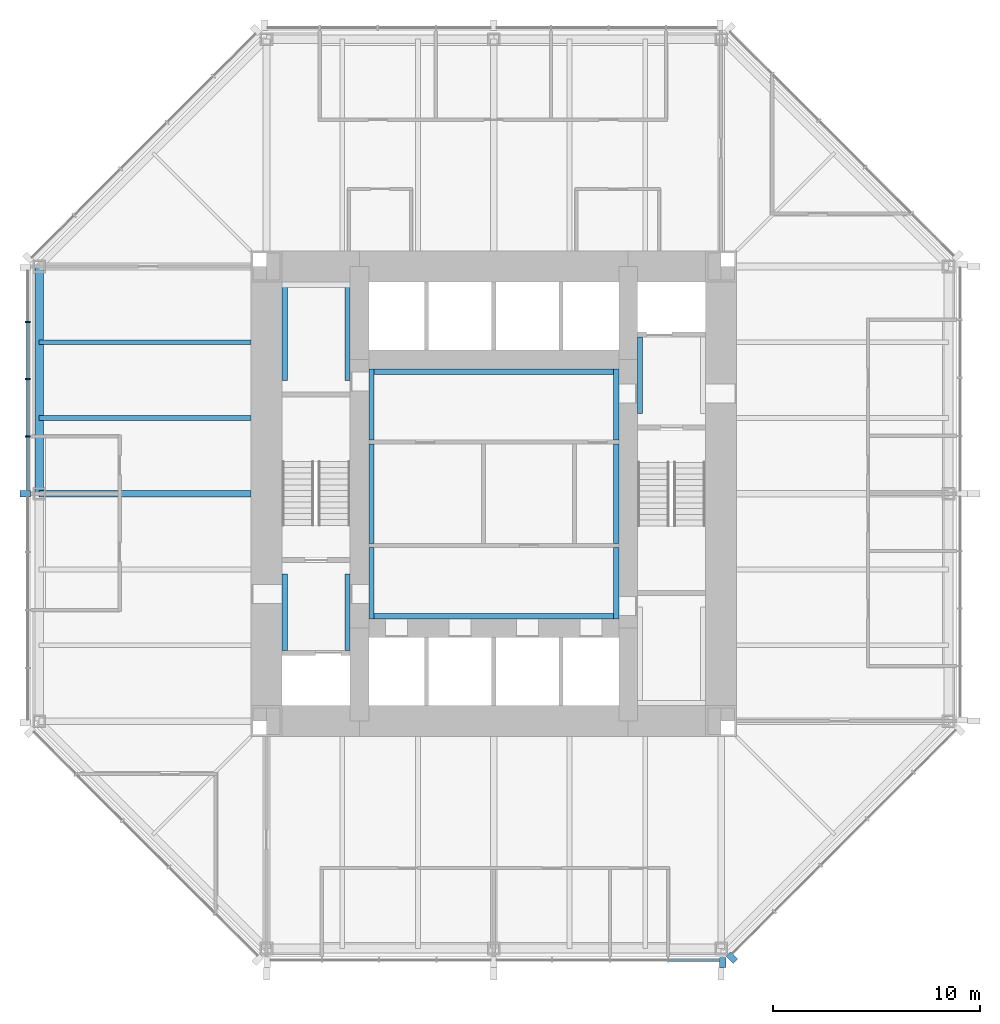
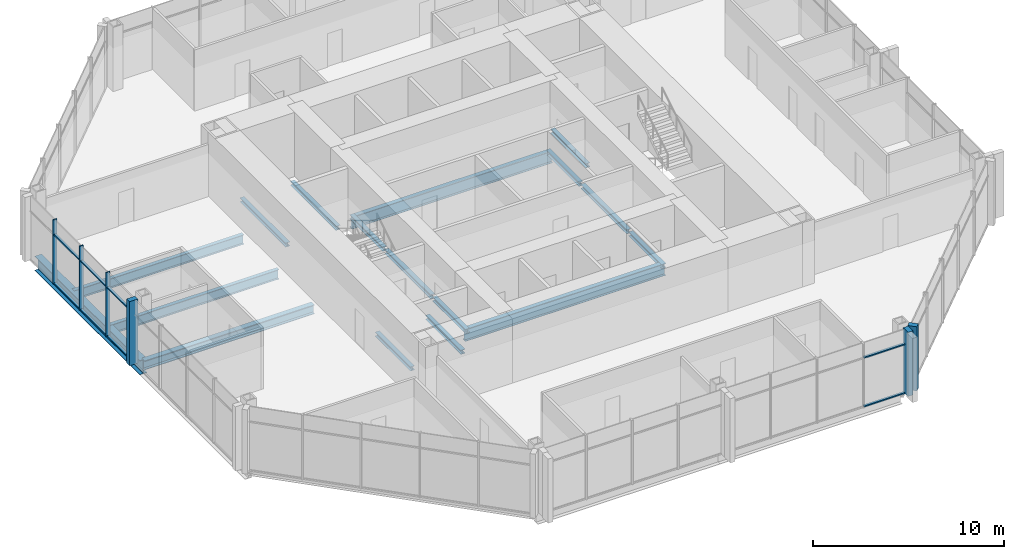
# One storey, part 3 of 12: 17 beams, 14 members, 3 elements without a shape of their own.
"""IFC4 building model written with IfcOpenShell, lengths in metres."""

from ifc_helpers import new_model, si_unit, direction, frame, origin, origin_2d, place, context, subcontext, project, spatial, rectangle, i_section, extrude, material, material_profile, profile_set, type_object, element, aggregate, save


model = new_model("IFC4")

# Units and contexts
model_context = context("Model", 3, precision=1e-05, world=origin(), true_north=direction((0.0, 1.0)))
body_context = subcontext(model_context, "Body", "Model", "MODEL_VIEW")
ifc_project = project(units=[si_unit("LENGTHUNIT", "METRE"), si_unit("AREAUNIT", "SQUARE_METRE"), si_unit("VOLUMEUNIT", "CUBIC_METRE"), si_unit("PLANEANGLEUNIT", "RADIAN"), si_unit("MASSUNIT", "GRAM", prefix="KILO")], contexts=[model_context])

# Site, building, storey
site_placement = place(None, origin())
site = spatial("IfcSite", under=ifc_project, at=site_placement, CompositionType="ELEMENT")
building_placement = place(site_placement, origin())
building = spatial("IfcBuilding", under=site, at=building_placement, Name="Trevanion Tower", CompositionType="ELEMENT")
storey_placement = place(building_placement, frame((0.0, 0.0, 158.199951171875)))
storey = spatial("IfcBuildingStorey", under=building, at=storey_placement, Name="L37", CompositionType="ELEMENT", Elevation=158.199951171875)

# Beams
ifc_material_1 = material(Name="Steel ASTM A992 Grade 50", Category="steel")
ifc_material_profile_1 = material_profile(ifc_material_1, i_section(OverallWidth=0.22900390625, OverallDepth=0.612060546875, WebThickness=0.011962890625, FlangeThickness=0.01953125, at=origin_2d()), Name="W24X84")
ifc_profile_set_1 = profile_set([ifc_material_profile_1], Name="Steel ASTM A992 Grade 50")
beam_type_1 = type_object("IfcBeamType", Name="B7 W24X84", PredefinedType="BEAM", material=ifc_profile_set_1)
for number, where, z_axis, x_axis, name in (
    (1, (-11.75, 7.333251953125, -0.49609375), (-1.0, 0.0, 0.0), (0.0, -1.0, 0.0), "B7 L37"),
    (2, (-11.75, 3.666748046875, -0.49609375), (-1.0, 0.0, 0.0), (0.0, -1.0, 0.0), "B7 L37"),
):
    element("IfcBeam", number, at=place(storey_placement, frame(where, z_axis=z_axis, x_axis=x_axis)), inside=storey, type_object=beam_type_1, Name=name, PredefinedType="BEAM", context=body_context, shape_type="SweptSolid", body=[
        extrude(i_section(OverallWidth=0.22900390625, OverallDepth=0.612060546875, WebThickness=0.011962890625, FlangeThickness=0.01953125, at=origin_2d()), origin(), (0.0, 0.0, 1.0), 10.25),
    ])

# Curtain wall, members
ifc_material_2 = material(Name="Aluminium and glass", Category="aluminium")
curtain_wall_type = type_object("IfcCurtainWallType", Name="CW2 curtain wall", PredefinedType="USERDEFINED", material=ifc_material_2)
curtain_wall_1_placement = place(storey_placement, origin())
curtain_wall_1 = element("IfcCurtainWall", 3, at=curtain_wall_1_placement, inside=storey, type_object=curtain_wall_type, Name="CW2 L37 4", ObjectType="UNITISED CURTAIN WALL", PredefinedType="USERDEFINED")
ifc_material_3 = material(Name="Aluminium extrusion, anodised bronze", Category="aluminium")
ifc_material_profile_2 = material_profile(ifc_material_3, rectangle(XDim=0.074951171875, YDim=0.25, at=origin_2d()), Name="CW2 mullion")
ifc_profile_set_2 = profile_set([ifc_material_profile_2], Name="Aluminium extrusion, anodised bronze")
member_type_1 = type_object("IfcMemberType", Name="CW2 mullion", PredefinedType="MULLION", material=ifc_profile_set_2)
member_1_placement = place(storey_placement, frame((-22.550048828125, 8.323486328125, -0.18994140625), z_axis=(0.0, 0.0, 1.0), x_axis=(0.0, -1.0, 0.0)))
member_1 = element("IfcMember", 4, at=member_1_placement, type_object=member_type_1, Name="CW2 mullion 2", PredefinedType="MULLION", context=body_context, shape_type="SweptSolid", body=[
    extrude(rectangle(XDim=0.074951171875, YDim=0.25, at=origin_2d()), origin(), (0.0, 0.0, 1.0), 4.10009765625),
])
member_2_placement = place(storey_placement, frame((-22.550048828125, 5.548828125, -0.18994140625), z_axis=(0.0, 0.0, 1.0), x_axis=(0.0, -1.0, 0.0)))
member_2 = element("IfcMember", 5, at=member_2_placement, type_object=member_type_1, Name="CW2 mullion 3", PredefinedType="MULLION", context=body_context, shape_type="SweptSolid", body=[
    extrude(rectangle(XDim=0.074951171875, YDim=0.25, at=origin_2d()), origin(), (0.0, 0.0, 1.0), 4.10009765625),
])
member_3_placement = place(storey_placement, frame((-22.550048828125, 2.7744140625, -0.18994140625), z_axis=(0.0, 0.0, 1.0), x_axis=(0.0, -1.0, 0.0)))
member_3 = element("IfcMember", 6, at=member_3_placement, type_object=member_type_1, Name="CW2 mullion 4", PredefinedType="MULLION", context=body_context, shape_type="SweptSolid", body=[
    extrude(rectangle(XDim=0.074951171875, YDim=0.25, at=origin_2d()), origin(), (0.0, 0.0, 1.0), 4.10009765625),
])
ifc_material_4 = material(Name="Aluminium extrusion, anodised bronze", Category="aluminium")
ifc_material_profile_3 = material_profile(ifc_material_4, rectangle(XDim=0.300048828125, YDim=0.5, at=origin_2d()), Name="CW2 pier mullion")
ifc_profile_set_3 = profile_set([ifc_material_profile_3], Name="Aluminium extrusion, anodised bronze")
member_type_2 = type_object("IfcMemberType", Name="CW2 pier mullion", PredefinedType="MULLION", material=ifc_profile_set_3)
member_4_placement = place(storey_placement, frame((-22.675048828125, 0.0, -0.18994140625), z_axis=(0.0, 0.0, 1.0), x_axis=(0.0, -1.0, 0.0)))
member_4 = element("IfcMember", 7, at=member_4_placement, type_object=member_type_2, Name="CW2 pier mullion 5", PredefinedType="MULLION", context=body_context, shape_type="SweptSolid", body=[
    extrude(rectangle(XDim=0.300048828125, YDim=0.5, at=origin_2d()), origin(), (0.0, 0.0, 1.0), 4.10009765625),
])

# Curtain wall, member
curtain_wall_2_placement = place(storey_placement, origin())
curtain_wall_2 = element("IfcCurtainWall", 8, at=curtain_wall_2_placement, inside=storey, type_object=curtain_wall_type, Name="CW2 L37 6", ObjectType="UNITISED CURTAIN WALL", PredefinedType="USERDEFINED")
member_5_placement = place(storey_placement, frame((11.077880859375, -22.675048828125, -0.18994140625), z_axis=(0.0, 0.0, 1.0), x_axis=(1.0, 0.0, 0.0)))
member_5 = element("IfcMember", 9, at=member_5_placement, type_object=member_type_2, Name="CW2 pier mullion 9", PredefinedType="MULLION", context=body_context, shape_type="SweptSolid", body=[
    extrude(rectangle(XDim=0.300048828125, YDim=0.5, at=origin_2d()), origin(), (0.0, 0.0, 1.0), 4.10009765625),
])

curtain_wall_3_placement = place(storey_placement, origin())
curtain_wall_3 = element("IfcCurtainWall", 10, at=curtain_wall_3_placement, inside=storey, type_object=curtain_wall_type, Name="CW2 L37 7", ObjectType="UNITISED CURTAIN WALL", PredefinedType="USERDEFINED")
member_6_placement = place(storey_placement, frame((11.51416015625, -22.4404296875, -0.18994140625), z_axis=(0.0, 0.0, 1.0), x_axis=(0.707106781187, 0.707106781187, 0.0)))
member_6 = element("IfcMember", 11, at=member_6_placement, type_object=member_type_2, Name="CW2 pier mullion 1", PredefinedType="MULLION", context=body_context, shape_type="SweptSolid", body=[
    extrude(rectangle(XDim=0.300048828125, YDim=0.5, at=origin_2d()), origin(), (0.0, 0.0, 1.0), 4.10009765625),
])
aggregate(curtain_wall_3, [member_6])

# Member
ifc_material_5 = material(Name="Aluminium extrusion, anodised bronze", Category="aluminium")
ifc_material_profile_4 = material_profile(ifc_material_5, rectangle(XDim=0.14990234375, YDim=0.074951171875, at=origin_2d()), Name="CW2 transom")
ifc_profile_set_4 = profile_set([ifc_material_profile_4], Name="Aluminium extrusion, anodised bronze")
member_type_3 = type_object("IfcMemberType", Name="CW2 transom", PredefinedType="USERDEFINED", material=ifc_profile_set_4)
member_7_placement = place(storey_placement, frame((-22.550048828125, 8.285888671875, -0.15234375), z_axis=(0.0, -1.0, 0.0), x_axis=(1.0, 0.0, 0.0)))
member_7 = element("IfcMember", 12, at=member_7_placement, type_object=member_type_3, Name="CW2 transom 2.1", ObjectType="TRANSOM", PredefinedType="USERDEFINED", context=body_context, shape_type="SweptSolid", body=[
    extrude(rectangle(XDim=0.14990234375, YDim=0.074951171875, at=origin_2d()), origin(), (0.0, 0.0, 1.0), 2.699462890625),
])

member_8_placement = place(storey_placement, frame((-22.550048828125, 8.285888671875, 2.9599609375), z_axis=(0.0, -1.0, 0.0), x_axis=(1.0, 0.0, 0.0)))
member_8 = element("IfcMember", 13, at=member_8_placement, type_object=member_type_3, Name="CW2 transom 2.2", ObjectType="TRANSOM", PredefinedType="USERDEFINED", context=body_context, shape_type="SweptSolid", body=[
    extrude(rectangle(XDim=0.14990234375, YDim=0.074951171875, at=origin_2d()), origin(), (0.0, 0.0, 1.0), 2.699462890625),
])

member_9_placement = place(storey_placement, frame((-22.550048828125, 5.511474609375, -0.15234375), z_axis=(0.0, -1.0, 0.0), x_axis=(1.0, 0.0, 0.0)))
member_9 = element("IfcMember", 14, at=member_9_placement, type_object=member_type_3, Name="CW2 transom 3.1", ObjectType="TRANSOM", PredefinedType="USERDEFINED", context=body_context, shape_type="SweptSolid", body=[
    extrude(rectangle(XDim=0.14990234375, YDim=0.074951171875, at=origin_2d()), origin(), (0.0, 0.0, 1.0), 2.699462890625),
])

member_10_placement = place(storey_placement, frame((-22.550048828125, 5.511474609375, 2.9599609375), z_axis=(0.0, -1.0, 0.0), x_axis=(1.0, 0.0, 0.0)))
member_10 = element("IfcMember", 15, at=member_10_placement, type_object=member_type_3, Name="CW2 transom 3.2", ObjectType="TRANSOM", PredefinedType="USERDEFINED", context=body_context, shape_type="SweptSolid", body=[
    extrude(rectangle(XDim=0.14990234375, YDim=0.074951171875, at=origin_2d()), origin(), (0.0, 0.0, 1.0), 2.699462890625),
])

member_11_placement = place(storey_placement, frame((-22.550048828125, 2.737060546875, -0.15234375), z_axis=(0.0, -1.0, 0.0), x_axis=(1.0, 0.0, 0.0)))
member_11 = element("IfcMember", 16, at=member_11_placement, type_object=member_type_3, Name="CW2 transom 4.1", ObjectType="TRANSOM", PredefinedType="USERDEFINED", context=body_context, shape_type="SweptSolid", body=[
    extrude(rectangle(XDim=0.14990234375, YDim=0.074951171875, at=origin_2d()), origin(), (0.0, 0.0, 1.0), 2.587158203125),
])

member_12_placement = place(storey_placement, frame((-22.550048828125, 2.737060546875, 2.9599609375), z_axis=(0.0, -1.0, 0.0), x_axis=(1.0, 0.0, 0.0)))
member_12 = element("IfcMember", 17, at=member_12_placement, type_object=member_type_3, Name="CW2 transom 4.2", ObjectType="TRANSOM", PredefinedType="USERDEFINED", context=body_context, shape_type="SweptSolid", body=[
    extrude(rectangle(XDim=0.14990234375, YDim=0.074951171875, at=origin_2d()), origin(), (0.0, 0.0, 1.0), 2.587158203125),
])

aggregate(curtain_wall_1, [member_1, member_2, member_3, member_4, member_7, member_8, member_9, member_10, member_11, member_12])

member_13_placement = place(storey_placement, frame((8.45849609375, -22.550048828125, -0.15234375), z_axis=(1.0, 0.0, 0.0), x_axis=(0.0, 1.0, 0.0)))
member_13 = element("IfcMember", 18, at=member_13_placement, type_object=member_type_3, Name="CW2 transom 8.1", ObjectType="TRANSOM", PredefinedType="USERDEFINED", context=body_context, shape_type="SweptSolid", body=[
    extrude(rectangle(XDim=0.14990234375, YDim=0.074951171875, at=origin_2d()), origin(), (0.0, 0.0, 1.0), 2.46923828125),
])

member_14_placement = place(storey_placement, frame((8.45849609375, -22.550048828125, 2.9599609375), z_axis=(1.0, 0.0, 0.0), x_axis=(0.0, 1.0, 0.0)))
member_14 = element("IfcMember", 19, at=member_14_placement, type_object=member_type_3, Name="CW2 transom 8.2", ObjectType="TRANSOM", PredefinedType="USERDEFINED", context=body_context, shape_type="SweptSolid", body=[
    extrude(rectangle(XDim=0.14990234375, YDim=0.074951171875, at=origin_2d()), origin(), (0.0, 0.0, 1.0), 2.46923828125),
])

aggregate(curtain_wall_2, [member_5, member_13, member_14])

# Beams
ifc_material_6 = material(Name="Steel ASTM A992 Grade 50", Category="steel")
ifc_material_profile_5 = material_profile(ifc_material_6, i_section(OverallWidth=0.320068359375, OverallDepth=0.584228515625, WebThickness=0.023193359375, FlangeThickness=0.04150390625, at=origin_2d()), Name="W21X201")
ifc_profile_set_5 = profile_set([ifc_material_profile_5], Name="Steel ASTM A992 Grade 50")
beam_type_2 = type_object("IfcBeamType", Name="G4 W21X201", PredefinedType="BEAM", material=ifc_profile_set_5)
beam_1_placement = place(storey_placement, frame((-11.75, 0.0, -0.48193359375), z_axis=(-1.0, 0.0, 0.0), x_axis=(0.0, -1.0, 0.0)))
element("IfcBeam", 20, at=beam_1_placement, inside=storey, type_object=beam_type_2, Name="G4 L37", PredefinedType="BEAM", context=body_context, shape_type="SweptSolid", body=[
    extrude(i_section(OverallWidth=0.320068359375, OverallDepth=0.584228515625, WebThickness=0.023193359375, FlangeThickness=0.04150390625, at=origin_2d()), origin(), (0.0, 0.0, 1.0), 10.25),
])
ifc_material_7 = material(Name="Steel ASTM A992 Grade 50", Category="steel")
ifc_material_profile_6 = material_profile(ifc_material_7, i_section(OverallWidth=0.256591796875, OverallDepth=0.26416015625, WebThickness=0.011962890625, FlangeThickness=0.01953125, at=origin_2d()), Name="W10X68")
ifc_profile_set_6 = profile_set([ifc_material_profile_6], Name="Steel ASTM A992 Grade 50")
beam_type_3 = type_object("IfcBeamType", Name="LB1 W10X68", PredefinedType="BEAM", material=ifc_profile_set_6)
for number, where, z_axis, x_axis, name in (
    (21, (-5.921630859375, 2.60009765625, -0.33203125), (0.0, 1.0, 0.0), (-1.0, 0.0, 0.0), "LB1 L37"),
    (22, (5.921630859375, 2.60009765625, -0.33203125), (0.0, 1.0, 0.0), (-1.0, 0.0, 0.0), "LB1 L37"),
    (23, (-5.921630859375, -6.050048828125, -0.33203125), (0.0, 1.0, 0.0), (-1.0, 0.0, 0.0), "LB1 L37"),
    (24, (5.921630859375, -6.050048828125, -0.33203125), (0.0, 1.0, 0.0), (-1.0, 0.0, 0.0), "LB1 L37"),
):
    element("IfcBeam", number, at=place(storey_placement, frame(where, z_axis=z_axis, x_axis=x_axis)), inside=storey, type_object=beam_type_3, Name=name, PredefinedType="BEAM", context=body_context, shape_type="SweptSolid", body=[
        extrude(i_section(OverallWidth=0.256591796875, OverallDepth=0.26416015625, WebThickness=0.011962890625, FlangeThickness=0.01953125, at=origin_2d()), origin(), (0.0, 0.0, 1.0), 3.449951171875),
    ])
for number, where, z_axis, x_axis, name in (
    (25, (7.078369140625, 3.875, -0.33203125), (0.0, 1.0, 0.0), (-1.0, 0.0, 0.0), "LB1 L37"),
    (26, (-10.12158203125, -7.574951171875, -0.33203125), (0.0, 1.0, 0.0), (-1.0, 0.0, 0.0), "LB1 L37"),
    (27, (-7.078369140625, -7.574951171875, -0.33203125), (0.0, 1.0, 0.0), (-1.0, 0.0, 0.0), "LB1 L37"),
):
    element("IfcBeam", number, at=place(storey_placement, frame(where, z_axis=z_axis, x_axis=x_axis)), inside=storey, type_object=beam_type_3, Name=name, PredefinedType="BEAM", context=body_context, shape_type="SweptSolid", body=[
        extrude(i_section(OverallWidth=0.256591796875, OverallDepth=0.26416015625, WebThickness=0.011962890625, FlangeThickness=0.01953125, at=origin_2d()), origin(), (0.0, 0.0, 1.0), 3.699951171875),
    ])
for number, where, z_axis, x_axis, name in (
    (28, (-10.12158203125, 5.47509765625, -0.33203125), (0.0, 1.0, 0.0), (-1.0, 0.0, 0.0), "LB1 L37"),
    (29, (-7.078369140625, 5.47509765625, -0.33203125), (0.0, 1.0, 0.0), (-1.0, 0.0, 0.0), "LB1 L37"),
):
    element("IfcBeam", number, at=place(storey_placement, frame(where, z_axis=z_axis, x_axis=x_axis)), inside=storey, type_object=beam_type_3, Name=name, PredefinedType="BEAM", context=body_context, shape_type="SweptSolid", body=[
        extrude(i_section(OverallWidth=0.256591796875, OverallDepth=0.26416015625, WebThickness=0.011962890625, FlangeThickness=0.01953125, at=origin_2d()), origin(), (0.0, 0.0, 1.0), 4.77490234375),
    ])
for number, where, z_axis, x_axis, name in (
    (30, (-5.921630859375, -2.39990234375, -0.33203125), (0.0, 1.0, 0.0), (-1.0, 0.0, 0.0), "LB1 L37"),
    (31, (5.921630859375, -2.39990234375, -0.33203125), (0.0, 1.0, 0.0), (-1.0, 0.0, 0.0), "LB1 L37"),
):
    element("IfcBeam", number, at=place(storey_placement, frame(where, z_axis=z_axis, x_axis=x_axis)), inside=storey, type_object=beam_type_3, Name=name, PredefinedType="BEAM", context=body_context, shape_type="SweptSolid", body=[
        extrude(i_section(OverallWidth=0.256591796875, OverallDepth=0.26416015625, WebThickness=0.011962890625, FlangeThickness=0.01953125, at=origin_2d()), origin(), (0.0, 0.0, 1.0), 4.7998046875),
    ])
ifc_material_8 = material(Name="Steel ASTM A992 Grade 50", Category="steel")
ifc_material_profile_7 = material_profile(ifc_material_8, i_section(OverallWidth=0.2666015625, OverallDepth=0.76953125, WebThickness=0.015625, FlangeThickness=0.025390625, at=origin_2d()), Name="W30X132")
ifc_profile_set_7 = profile_set([ifc_material_profile_7], Name="Steel ASTM A992 Grade 50")
beam_type_4 = type_object("IfcBeamType", Name="LB3 W30X132", PredefinedType="BEAM", material=ifc_profile_set_7)
for number, where, z_axis, x_axis, name in (
    (32, (-6.050048828125, 5.91650390625, -0.584716796875), (1.0, 0.0, 0.0), (0.0, 1.0, 0.0), "LB3 L37"),
    (33, (-6.050048828125, -5.91650390625, -0.584716796875), (1.0, 0.0, 0.0), (0.0, 1.0, 0.0), "LB3 L37"),
):
    element("IfcBeam", number, at=place(storey_placement, frame(where, z_axis=z_axis, x_axis=x_axis)), inside=storey, type_object=beam_type_4, Name=name, PredefinedType="BEAM", context=body_context, shape_type="SweptSolid", body=[
        extrude(i_section(OverallWidth=0.2666015625, OverallDepth=0.76953125, WebThickness=0.015625, FlangeThickness=0.025390625, at=origin_2d()), origin(), (0.0, 0.0, 1.0), 12.10009765625),
    ])
ifc_material_9 = material(Name="Steel ASTM A992 Grade 50", Category="steel")
ifc_material_profile_8 = material_profile(ifc_material_9, i_section(OverallWidth=0.419189453125, OverallDepth=0.927001953125, WebThickness=0.019287109375, FlangeThickness=0.031982421875, at=origin_2d()), Name="W36X231")
ifc_profile_set_8 = profile_set([ifc_material_profile_8], Name="Steel ASTM A992 Grade 50")
beam_type_5 = type_object("IfcBeamType", Name="SB4 W36X231", PredefinedType="SPANDREL", material=ifc_profile_set_8)
beam_2_placement = place(storey_placement, frame((-22.0, 11.0, -0.653564453125), z_axis=(0.0, -1.0, 0.0), x_axis=(1.0, 0.0, 0.0)))
element("IfcBeam", 34, at=beam_2_placement, inside=storey, type_object=beam_type_5, Name="SB4 L37", PredefinedType="SPANDREL", context=body_context, shape_type="SweptSolid", body=[
    extrude(i_section(OverallWidth=0.419189453125, OverallDepth=0.927001953125, WebThickness=0.019287109375, FlangeThickness=0.031982421875, at=origin_2d()), origin(), (0.0, 0.0, 1.0), 11.0),
])

save(model, "model.ifc")
